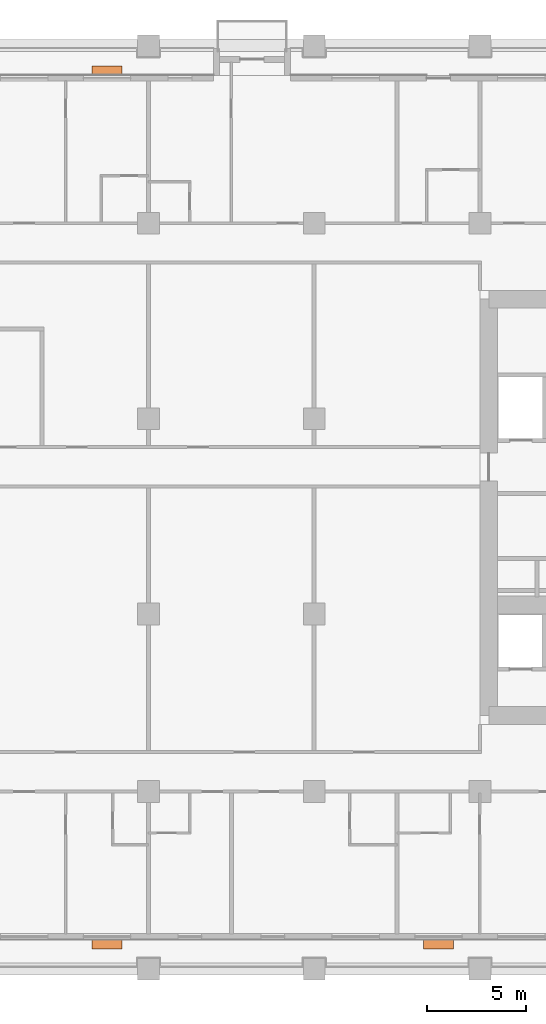
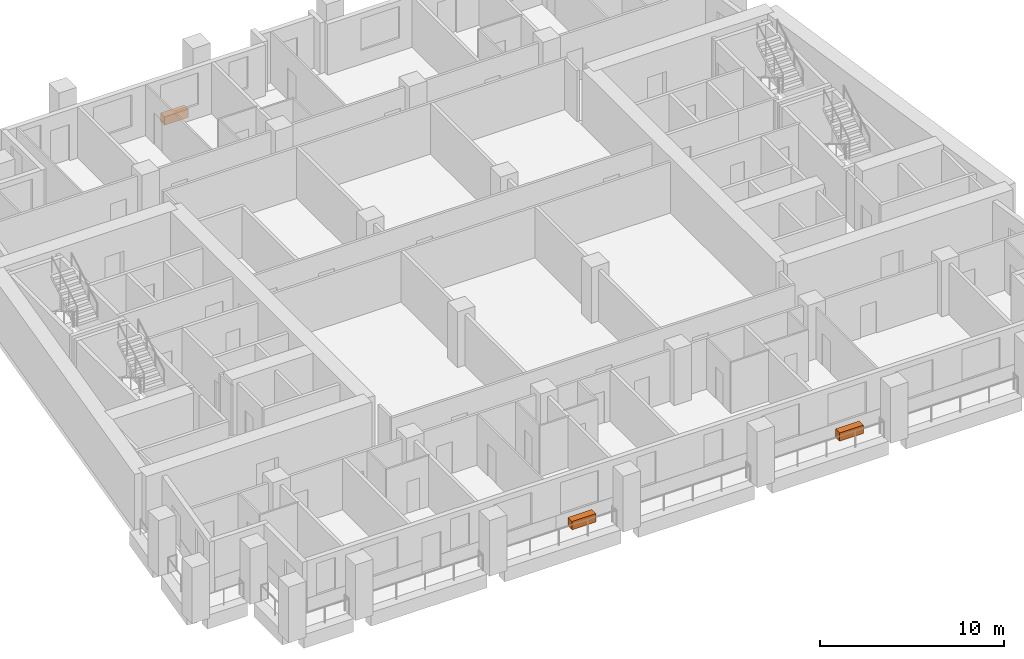
# One storey, part 12 of 12: 3 proxies.
"""IFC4 building model written with IfcOpenShell, lengths in metres."""

from ifc_helpers import new_model, si_unit, direction, frame, origin, origin_2d, place, context, subcontext, project, spatial, rectangle, extrude, element, save


model = new_model("IFC4")

# Units and contexts
model_context = context("Model", 3, precision=1e-05, world=origin(), true_north=direction((0.0, 1.0)))
body_context = subcontext(model_context, "Body", "Model", "MODEL_VIEW")
ifc_project = project(units=[si_unit("LENGTHUNIT", "METRE"), si_unit("AREAUNIT", "SQUARE_METRE"), si_unit("VOLUMEUNIT", "CUBIC_METRE"), si_unit("PLANEANGLEUNIT", "RADIAN"), si_unit("MASSUNIT", "GRAM", prefix="KILO")], contexts=[model_context])

# Site, building, storey
site_placement = place(None, origin())
site = spatial("IfcSite", under=ifc_project, at=site_placement, CompositionType="ELEMENT")
building_placement = place(site_placement, origin())
building = spatial("IfcBuilding", under=site, at=building_placement, Name="Candeia Pilgrim Tower and Theatre", CompositionType="ELEMENT")
storey_placement = place(building_placement, frame((0.0, 0.0, 166.300048828125)))
storey = spatial("IfcBuildingStorey", under=building, at=storey_placement, Name="L39", CompositionType="ELEMENT", Elevation=166.300048828125)

# Proxies
for number, where, z_axis, x_axis, name in (
    (1, (107.10009765625, 99.2548828125, 0.0), (0.0, 0.0, 1.0), (1.0, 0.0, 0.0), "Planter"),
    (2, (123.89990234375, 99.2548828125, 0.0), (0.0, 0.0, 1.0), (1.0, 0.0, 0.0), "Planter"),
    (3, (107.10009765625, 143.544921875, 0.0), (0.0, 0.0, 1.0), (-1.0, 0.0, 0.0), "Planter"),
):
    element("IfcBuildingElementProxy", number, at=place(storey_placement, frame(where, z_axis=z_axis, x_axis=x_axis)), inside=storey, Name=name, ObjectType="PLANTER", PredefinedType="USERDEFINED", context=body_context, shape_type="SweptSolid", body=[
        extrude(rectangle(XDim=1.5, YDim=0.449951171875, at=origin_2d()), origin(), (0.0, 0.0, 1.0), 0.550048828125),
    ])

save(model, "model.ifc")
